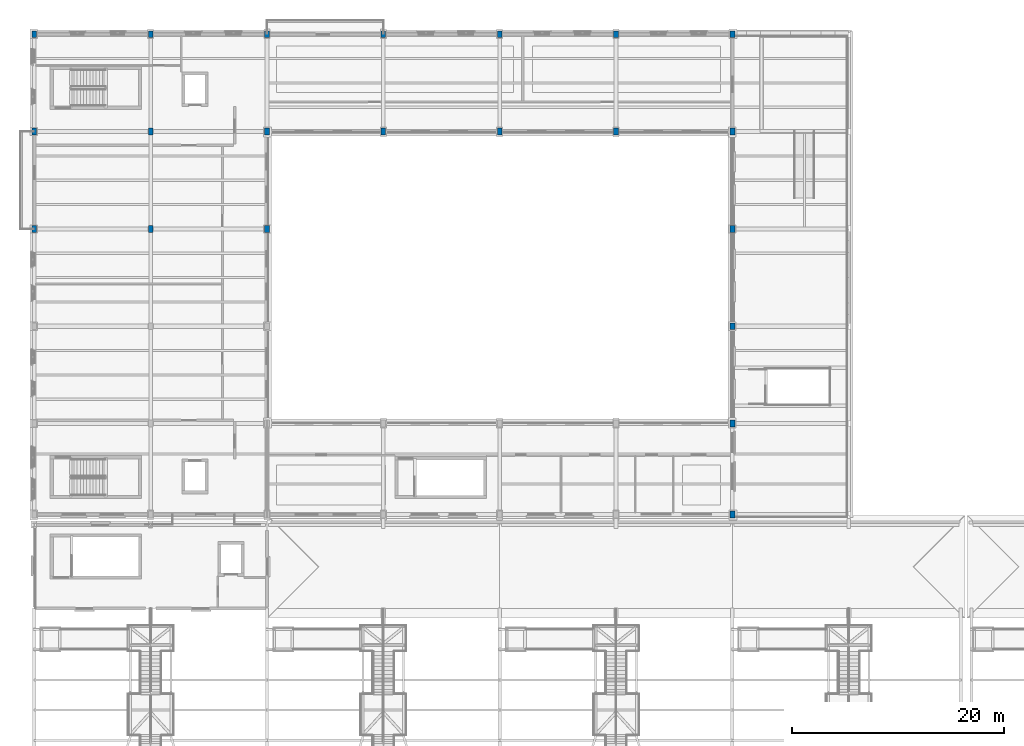
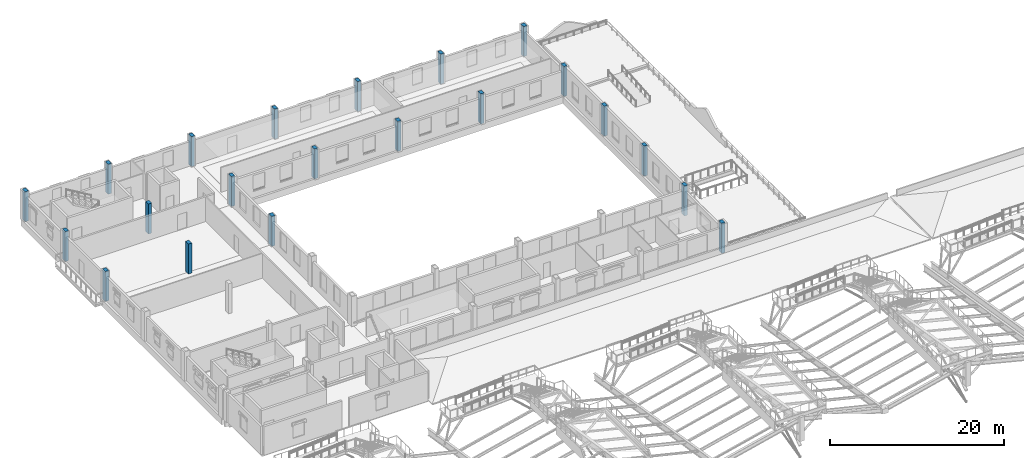
# One storey, part 7 of 43: 21 columns.
"""IFC4 building model written with IfcOpenShell, lengths in metres."""

import ifcopenshell
import ifcopenshell.guid

model = None  # the IFC model being written
_history = None  # IfcOwnerHistory: only IFC2X3 demands one
_inside = {}  # id of a spatial element -> (the spatial element, [elements in it])
_under = {}  # id of a project, library or spatial element -> (it, [spatial elements below it])
_declared = {}  # id of a project -> (the project, [libraries it declares])
_typed = {}  # id of a type object -> (the type object, [elements of that type])
_made_of = {}  # id of a material, layer set ... -> (it, [elements and type objects made of it])


def new_model(schema):
    """Start an empty IFC model of exactly this schema.

    Asked for "IFC4X3", IfcOpenShell would pick the latest addendum, in which some entities
    have other attributes; the version numbers below select the first issue.
    IFC2X3 requires an IfcOwnerHistory on every rooted entity: one is made here for all.
    """
    global model, _history
    if schema == "IFC4X3":
        model = ifcopenshell.file(schema_version=(4, 3, 0, 0))
    else:
        model = ifcopenshell.file(schema=schema)
    _inside.clear()
    _under.clear()
    _declared.clear()
    _typed.clear()
    _made_of.clear()
    _history = None
    if model.schema == "IFC2X3":
        org = make("IfcOrganization", Name="unknown")
        user = make(
            "IfcPersonAndOrganization",
            ThePerson=make("IfcPerson", FamilyName="unknown"),
            TheOrganization=org,
        )
        app = make(
            "IfcApplication",
            ApplicationDeveloper=org,
            Version="unknown",
            ApplicationFullName="unknown",
            ApplicationIdentifier="unknown",
        )
        _history = make(
            "IfcOwnerHistory",
            OwningUser=user,
            OwningApplication=app,
            ChangeAction="ADDED",
            CreationDate=0,
        )
    return model


def make(cls, **values):
    """One entity of the class cls with the attributes given. An attribute that is None is left unset."""
    return model.create_entity(
        cls, **{name: value for name, value in values.items() if value is not None}
    )


def rooted(cls, **values):
    """An entity with a GlobalId (a new one), such as an element, a storey or a relation."""
    return make(cls, GlobalId=ifcopenshell.guid.new(), OwnerHistory=_history, **values)


def si_unit(unit_type, name, prefix=None):
    """IfcSIUnit, for example si_unit("LENGTHUNIT", "METRE", prefix="MILLI")."""
    return make("IfcSIUnit", UnitType=unit_type, Prefix=prefix, Name=name)


def assignment(units):
    """IfcUnitAssignment: the units of a project."""
    return None if units is None else make("IfcUnitAssignment", Units=units)


def point(xyz):
    """IfcCartesianPoint."""
    return None if xyz is None else make("IfcCartesianPoint", Coordinates=xyz)


def direction(xyz):
    """IfcDirection."""
    return None if xyz is None else make("IfcDirection", DirectionRatios=xyz)


def frame(location, z_axis=None, x_axis=None):
    """IfcAxis2Placement3D, a coordinate frame: its origin and axes. An axis left out is left unset."""
    return make(
        "IfcAxis2Placement3D",
        Location=point(location),
        Axis=direction(z_axis),
        RefDirection=direction(x_axis),
    )


def frame_2d(location, x_axis=None):
    """IfcAxis2Placement2D, a coordinate frame in the plane: its origin and x axis."""
    return make(
        "IfcAxis2Placement2D", Location=point(location), RefDirection=direction(x_axis)
    )


def origin():
    """The frame at (0, 0, 0) with its axes left unset."""
    return frame((0.0, 0.0, 0.0))


def origin_2d():
    """The frame at (0, 0) in the plane with its x axis left unset."""
    return frame_2d((0.0, 0.0))


def place(relative_to, where):
    """IfcLocalPlacement: puts the frame where relative to a parent placement (None: the world)."""
    return make(
        "IfcLocalPlacement", PlacementRelTo=relative_to, RelativePlacement=where
    )


def context(
    kind, dimensions, precision=None, world=None, true_north=None, identifier=None
):
    """IfcGeometricRepresentationContext, for example the 3D "Model" context."""
    return make(
        "IfcGeometricRepresentationContext",
        ContextIdentifier=identifier,
        ContextType=kind,
        CoordinateSpaceDimension=dimensions,
        Precision=precision,
        WorldCoordinateSystem=world,
        TrueNorth=true_north,
    )


def subcontext(parent, identifier, kind, view, scale=None):
    """IfcGeometricRepresentationSubContext, for example "Body" below "Model"."""
    return make(
        "IfcGeometricRepresentationSubContext",
        ContextIdentifier=identifier,
        ContextType=kind,
        ParentContext=parent,
        TargetScale=scale,
        TargetView=view,
    )


def project(units=None, contexts=None):
    """IfcProject with its units and contexts."""
    return rooted(
        "IfcProject",
        Name="project",
        RepresentationContexts=contexts,
        UnitsInContext=assignment(units),
    )


def spatial(cls, under=None, at=None, **own):
    """A site, building, storey or space (cls), placed at a placement, below another one or the project."""
    s = rooted(cls, ObjectPlacement=at, **own)
    if under is not None:
        _under.setdefault(under.id(), (under, []))[1].append(s)
    return s


def profile(cls, at=None, kind="AREA", **sizes):
    """A parametric profile (cls). Its sizes go by their IFC names, for example OverallWidth=200.0."""
    return make(cls, ProfileType=kind, Position=at, **sizes)


def rectangle(**sizes):
    """IfcRectangleProfileDef."""
    return profile("IfcRectangleProfileDef", **sizes)


def extrude(swept, where, along, depth):
    """IfcExtrudedAreaSolid: the profile swept, set in the frame where, extruded along a direction by depth."""
    return make(
        "IfcExtrudedAreaSolid",
        SweptArea=swept,
        Position=where,
        ExtrudedDirection=direction(along),
        Depth=depth,
    )


def shape(context_of_items, identifier, shape_type, items):
    """IfcShapeRepresentation: the items that make up one representation, for example the "Body"."""
    return make(
        "IfcShapeRepresentation",
        ContextOfItems=context_of_items,
        RepresentationIdentifier=identifier,
        RepresentationType=shape_type,
        Items=items,
    )


def material(Name=None, Category=None):
    """IfcMaterial."""
    return make("IfcMaterial", Name=Name, Category=Category)


def material_profile(
    of_material, cross_section, Name=None, Category=None, Priority=None
):
    """IfcMaterialProfile: a cross section and its material."""
    return make(
        "IfcMaterialProfile",
        Name=Name,
        Material=of_material,
        Profile=cross_section,
        Priority=Priority,
        Category=Category,
    )


def profile_set(profiles, Name=None, composite=None):
    """IfcMaterialProfileSet."""
    return make(
        "IfcMaterialProfileSet",
        Name=Name,
        MaterialProfiles=profiles,
        CompositeProfile=composite,
    )


def made_of(thing, what):
    """Note that an element or type object is made of a material, layer set ...; save() writes the relation."""
    if what is not None:
        _made_of.setdefault(what.id(), (what, []))[1].append(thing)
    return thing


def type_object(cls, material=None, **own):
    """A type object (cls), such as IfcWallType, which elements share."""
    return made_of(rooted(cls, **own), material)


def element(
    cls,
    number,
    at=None,
    inside=None,
    cuts=None,
    type_object=None,
    material=None,
    context=None,
    identifier="Body",
    shape_type=None,
    held_by="IfcProductDefinitionShape",
    body=None,
    shapes=None,
    **own,
):
    """One element of the class cls, such as IfcWall. Its Tag is "e" and its number.

    at: its placement. inside: the storey or other place that contains it. cuts: it is an
    opening in that element (IfcRelVoidsElement). A single representation is given by context,
    identifier, shape_type and body (its items); several are given by shapes. held_by: the class
    of the entity that holds the representations. save() writes the other relations.
    """
    e = rooted(cls, Tag="e%d" % number, ObjectPlacement=at, **own)
    if body is not None:
        shapes = [shape(context, identifier, shape_type, body)]
    if shapes is not None:
        e.Representation = make(held_by, Representations=shapes)
    if inside is not None:
        _inside.setdefault(inside.id(), (inside, []))[1].append(e)
    if cuts is not None:
        rooted(
            "IfcRelVoidsElement", RelatingBuildingElement=cuts, RelatedOpeningElement=e
        )
    if type_object is not None:
        _typed.setdefault(type_object.id(), (type_object, []))[1].append(e)
    return made_of(e, material)


def aggregate(whole, parts):
    """IfcRelAggregates: a whole, such as a stair, and the parts it consists of."""
    return rooted("IfcRelAggregates", RelatingObject=whole, RelatedObjects=parts)


def save(model, path):
    """Write the relations noted so far, then the file.

    IfcRelAggregates (storeys below a building ...), IfcRelContainedInSpatialStructure (elements
    in a storey), IfcRelDefinesByType, IfcRelAssociatesMaterial and IfcRelDeclares: one each for
    every whole, place, type object, material and project.
    """
    for whole, parts in _under.values():
        aggregate(whole, parts)
    for where, things in _inside.values():
        rooted(
            "IfcRelContainedInSpatialStructure",
            RelatedElements=things,
            RelatingStructure=where,
        )
    for kind, things in _typed.values():
        rooted("IfcRelDefinesByType", RelatedObjects=things, RelatingType=kind)
    for what, things in _made_of.values():
        rooted("IfcRelAssociatesMaterial", RelatedObjects=things, RelatingMaterial=what)
    for by, libraries in _declared.values():
        rooted("IfcRelDeclares", RelatingContext=by, RelatedDefinitions=libraries)
    model.write(path)


model = new_model("IFC4")

# Units and contexts
model_context = context("Model", 3, precision=1e-05, world=origin(), true_north=direction((0.0, 1.0)))
body_context = subcontext(model_context, "Body", "Model", "MODEL_VIEW")
ifc_project = project(units=[si_unit("LENGTHUNIT", "METRE"), si_unit("AREAUNIT", "SQUARE_METRE"), si_unit("VOLUMEUNIT", "CUBIC_METRE"), si_unit("PLANEANGLEUNIT", "RADIAN"), si_unit("MASSUNIT", "GRAM", prefix="KILO")], contexts=[model_context])

# Site, building, storey
site_placement = place(None, origin())
site = spatial("IfcSite", under=ifc_project, at=site_placement, CompositionType="ELEMENT")
building_placement = place(site_placement, origin())
building = spatial("IfcBuilding", under=site, at=building_placement, Name="Caurita Quay Ferry Terminal", CompositionType="ELEMENT")
storey_placement = place(building_placement, frame((0.0, 0.0, 14.10009765625)))
storey = spatial("IfcBuildingStorey", under=building, at=storey_placement, Name="L03", CompositionType="ELEMENT", Elevation=14.10009765625)

# Columns
ifc_material = material(Name="Reinforced concrete C35/45", Category="concrete")
ifc_material_profile = material_profile(ifc_material, rectangle(XDim=0.449951171875, YDim=0.64990234375, at=origin_2d()), Name="RC-COL-650X450")
ifc_profile_set = profile_set([ifc_material_profile], Name="Reinforced concrete C35/45")
column_type = type_object("IfcColumnType", Name="COL-RC-6545", PredefinedType="COLUMN", material=ifc_profile_set)
for number, where, z_axis, x_axis, name in (
    (1, (0.0, 98.60009765625, 0.0), (0.0, 0.0, 1.0), (1.0, 0.0, 0.0), "L03 Column V5-01-P"),
    (2, (0.0, 107.800048828125, 0.0), (0.0, 0.0, 1.0), (1.0, 0.0, 0.0), "L03 Column V5-01-Q"),
    (3, (0.0, 117.0, 0.0), (0.0, 0.0, 1.0), (1.0, 0.0, 0.0), "L03 Column V5-01-R"),
    (4, (11.0, 98.60009765625, 0.0), (0.0, 0.0, 1.0), (1.0, 0.0, 0.0), "L03 Column V5-02-P"),
    (5, (11.0, 107.800048828125, 0.0), (0.0, 0.0, 1.0), (1.0, 0.0, 0.0), "L03 Column V5-02-Q"),
    (6, (11.0, 117.0, 0.0), (0.0, 0.0, 1.0), (1.0, 0.0, 0.0), "L03 Column V5-02-R"),
    (7, (22.0, 98.60009765625, 0.0), (0.0, 0.0, 1.0), (1.0, 0.0, 0.0), "L03 Column V5-03-P"),
    (8, (22.0, 107.800048828125, 0.0), (0.0, 0.0, 1.0), (1.0, 0.0, 0.0), "L03 Column V5-03-Q"),
    (9, (22.0, 117.0, 0.0), (0.0, 0.0, 1.0), (1.0, 0.0, 0.0), "L03 Column V5-03-R"),
    (10, (33.0, 107.800048828125, 0.0), (0.0, 0.0, 1.0), (1.0, 0.0, 0.0), "L03 Column V5-04-Q"),
    (11, (33.0, 117.0, 0.0), (0.0, 0.0, 1.0), (1.0, 0.0, 0.0), "L03 Column V5-04-R"),
    (12, (44.0, 107.800048828125, 0.0), (0.0, 0.0, 1.0), (1.0, 0.0, 0.0), "L03 Column V5-05-Q"),
    (13, (44.0, 117.0, 0.0), (0.0, 0.0, 1.0), (1.0, 0.0, 0.0), "L03 Column V5-05-R"),
    (14, (55.0, 107.800048828125, 0.0), (0.0, 0.0, 1.0), (1.0, 0.0, 0.0), "L03 Column V5-06-Q"),
    (15, (55.0, 117.0, 0.0), (0.0, 0.0, 1.0), (1.0, 0.0, 0.0), "L03 Column V5-06-R"),
    (16, (66.0, 71.60009765625, 0.0), (0.0, 0.0, 1.0), (1.0, 0.0, 0.0), "L03 Column V5-07-L"),
    (17, (66.0, 80.199951171875, 0.0), (0.0, 0.0, 1.0), (1.0, 0.0, 0.0), "L03 Column V5-07-M"),
    (18, (66.0, 89.39990234375, 0.0), (0.0, 0.0, 1.0), (1.0, 0.0, 0.0), "L03 Column V5-07-N"),
    (19, (66.0, 98.60009765625, 0.0), (0.0, 0.0, 1.0), (1.0, 0.0, 0.0), "L03 Column V5-07-P"),
    (20, (66.0, 107.800048828125, 0.0), (0.0, 0.0, 1.0), (1.0, 0.0, 0.0), "L03 Column V5-07-Q"),
    (21, (66.0, 117.0, 0.0), (0.0, 0.0, 1.0), (1.0, 0.0, 0.0), "L03 Column V5-07-R"),
):
    element("IfcColumn", number, at=place(storey_placement, frame(where, z_axis=z_axis, x_axis=x_axis)), inside=storey, type_object=column_type, Name=name, PredefinedType="COLUMN", context=body_context, shape_type="SweptSolid", body=[
        extrude(rectangle(XDim=0.449951171875, YDim=0.64990234375, at=origin_2d()), origin(), (0.0, 0.0, 1.0), 4.199951171875),
    ])

save(model, "model.ifc")
